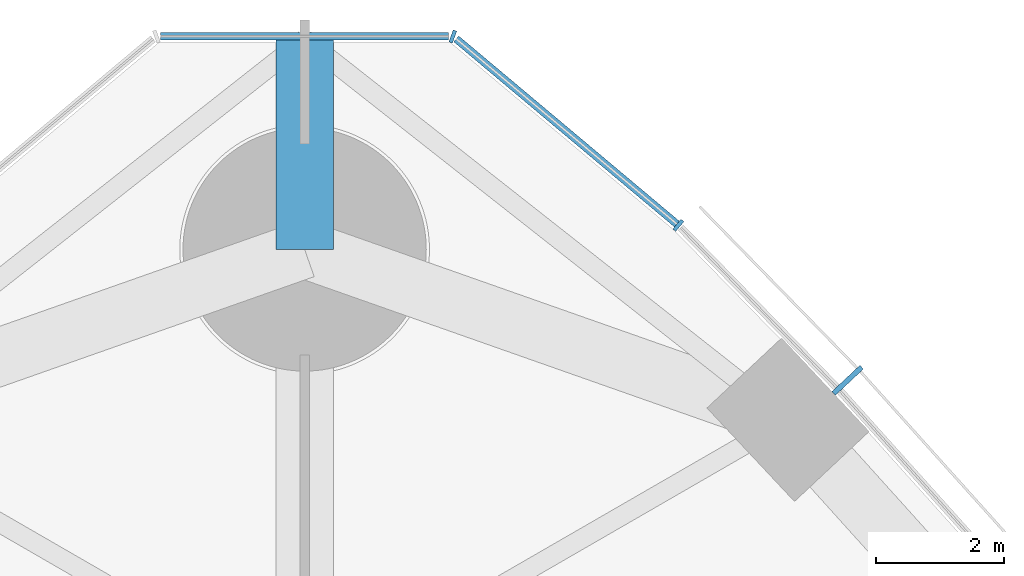
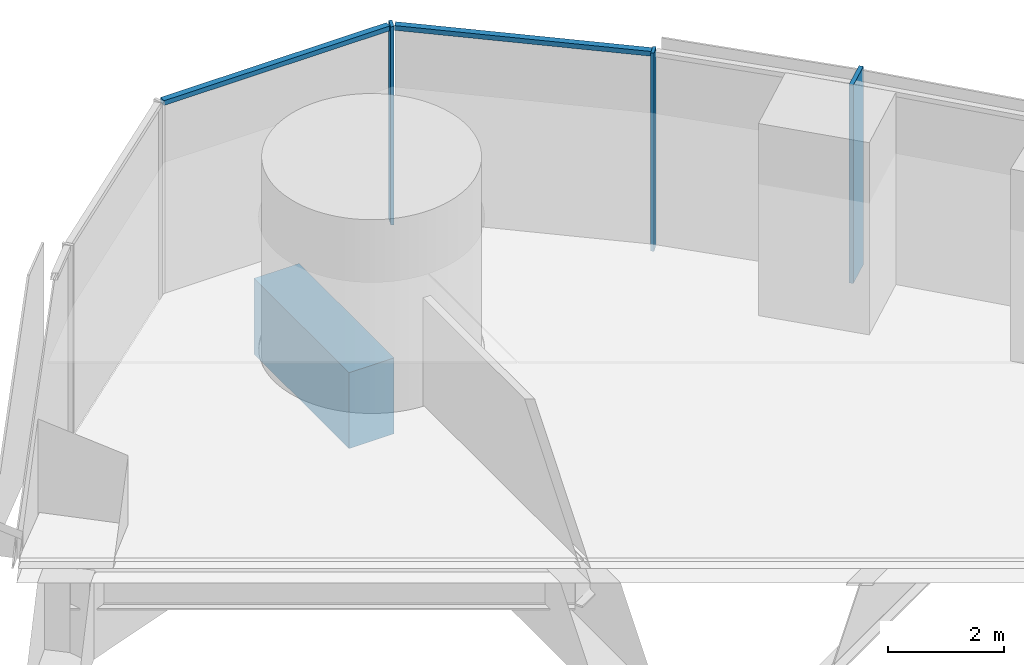
# One storey, part 8 of 18: 5 members, 1 beam, 2 elements without a shape of their own.
"""IFC4 building model written with IfcOpenShell, lengths in metres."""

from ifc_helpers import new_model, si_unit, direction, frame, origin, origin_2d, place, context, subcontext, project, spatial, rectangle, extrude, material, material_profile, profile_set, type_object, element, aggregate, save


model = new_model("IFC4")

# Units and contexts
model_context = context("Model", 3, precision=1e-05, world=origin(), true_north=direction((0.0, 1.0)))
body_context = subcontext(model_context, "Body", "Model", "MODEL_VIEW")
ifc_project = project(units=[si_unit("LENGTHUNIT", "METRE"), si_unit("AREAUNIT", "SQUARE_METRE"), si_unit("VOLUMEUNIT", "CUBIC_METRE"), si_unit("PLANEANGLEUNIT", "RADIAN"), si_unit("MASSUNIT", "GRAM", prefix="KILO")], contexts=[model_context])

# Site, building, storey
site_placement = place(None, origin())
site = spatial("IfcSite", under=ifc_project, at=site_placement, CompositionType="ELEMENT")
building_placement = place(site_placement, origin())
building = spatial("IfcBuilding", under=site, at=building_placement, Name="Trefoil Bronze Tower", CompositionType="ELEMENT")
storey_placement = place(building_placement, frame((0.0, 0.0, 202.300048828125)))
storey = spatial("IfcBuildingStorey", under=building, at=storey_placement, Name="L46", CompositionType="ELEMENT", Elevation=202.300048828125)

# Curtain wall, member
ifc_material_1 = material(Name="Tinted solar-control glass", Category="glass")
curtain_wall_type_1 = type_object("IfcCurtainWallType", Name="Bronze office curtain wall", PredefinedType="USERDEFINED", material=ifc_material_1)
curtain_wall_1_placement = place(storey_placement, origin())
curtain_wall_1 = element("IfcCurtainWall", 1, at=curtain_wall_1_placement, inside=storey, type_object=curtain_wall_type_1, Name="CW-A L46 F2", ObjectType="CURTAIN WALL", PredefinedType="USERDEFINED")
ifc_material_2 = material(Name="Bronze-finish aluminium", Category="aluminium")
ifc_material_profile_1 = material_profile(ifc_material_2, rectangle(XDim=0.60009765625, YDim=0.080078125, at=origin_2d()), Name="CW-A mullion")
ifc_profile_set_1 = profile_set([ifc_material_profile_1], Name="Bronze-finish aluminium")
member_type_1 = type_object("IfcMemberType", Name="Bronze office curtain wall mullion", PredefinedType="MULLION", material=ifc_profile_set_1)
member_1_placement = place(storey_placement, frame((8.482177734375, 30.95654296875, 0.0), z_axis=(0.0, 0.0, 1.0), x_axis=(-0.729859580661, -0.683597098091, 0.0)))
member_1 = element("IfcMember", 2, at=member_1_placement, type_object=member_type_1, Name="CW-A L46 F2 mullion 12", PredefinedType="MULLION", context=body_context, shape_type="SweptSolid", body=[
    extrude(rectangle(XDim=0.60009765625, YDim=0.080078125, at=origin_2d()), origin(), (0.0, 0.0, 1.0), 4.179931640625),
])
aggregate(curtain_wall_1, [member_1])

# Curtain wall, members
ifc_material_3 = material(Name="Tinted solar-control glass", Category="glass")
curtain_wall_type_2 = type_object("IfcCurtainWallType", Name="Bronze rounded corner curtain wall", PredefinedType="USERDEFINED", material=ifc_material_3)
curtain_wall_2_placement = place(storey_placement, origin())
curtain_wall_2 = element("IfcCurtainWall", 3, at=curtain_wall_2_placement, inside=storey, type_object=curtain_wall_type_2, Name="CW-B L46 K2", ObjectType="CURTAIN WALL", PredefinedType="USERDEFINED")
ifc_material_4 = material(Name="Bronze-finish aluminium", Category="aluminium")
ifc_material_profile_2 = material_profile(ifc_material_4, rectangle(XDim=0.199951171875, YDim=0.06005859375, at=origin_2d()), Name="CW-B mullion")
ifc_profile_set_2 = profile_set([ifc_material_profile_2], Name="Bronze-finish aluminium")
member_type_2 = type_object("IfcMemberType", Name="Bronze rounded corner curtain wall mullion", PredefinedType="MULLION", material=ifc_profile_set_2)
member_2_placement = place(storey_placement, frame((5.837890625, 33.3779296875, 0.0), z_axis=(0.0, 0.0, 1.0), x_axis=(-0.642787609687, -0.766044443119, 0.0)))
member_2 = element("IfcMember", 4, at=member_2_placement, type_object=member_type_2, Name="CW-B L46 K2 mullion 1", PredefinedType="MULLION", context=body_context, shape_type="SweptSolid", body=[
    extrude(rectangle(XDim=0.199951171875, YDim=0.06005859375, at=origin_2d()), origin(), (0.0, 0.0, 1.0), 4.179931640625),
])
member_3_placement = place(storey_placement, frame((2.314453125, 36.326416015625, 0.0), z_axis=(0.0, 0.0, 1.0), x_axis=(-0.342020143326, -0.939692620786, 0.0)))
member_3 = element("IfcMember", 5, at=member_3_placement, type_object=member_type_2, Name="CW-B L46 K2 mullion 2", PredefinedType="MULLION", context=body_context, shape_type="SweptSolid", body=[
    extrude(rectangle(XDim=0.199951171875, YDim=0.06005859375, at=origin_2d()), origin(), (0.0, 0.0, 1.0), 4.179931640625),
])
ifc_material_5 = material(Name="Bronze-finish aluminium", Category="aluminium")
ifc_material_profile_3 = material_profile(ifc_material_5, rectangle(XDim=0.1201171875, YDim=0.10009765625, at=origin_2d()), Name="CW-B transom")
ifc_profile_set_3 = profile_set([ifc_material_profile_3], Name="Bronze-finish aluminium")
member_type_3 = type_object("IfcMemberType", Name="Bronze rounded corner curtain wall transom", PredefinedType="USERDEFINED", material=ifc_profile_set_3)
member_4_placement = place(storey_placement, frame((5.814697265625, 33.397216796875, 4.1298828125), z_axis=(-0.766046761698, 0.642784846501, 0.0), x_axis=(-0.642784846501, -0.766046761698, 0.0)))
member_4 = element("IfcMember", 6, at=member_4_placement, type_object=member_type_3, Name="CW-B L46 K2 transom 1", ObjectType="TRANSOM", PredefinedType="USERDEFINED", context=body_context, shape_type="SweptSolid", body=[
    extrude(rectangle(XDim=0.1201171875, YDim=0.10009765625, at=origin_2d()), origin(), (0.0, 0.0, 1.0), 4.5),
])
member_5_placement = place(storey_placement, frame((2.250244140625, 36.33251953125, 4.1298828125), z_axis=(-1.0, 0.0, 0.0), x_axis=(0.0, -1.0, 0.0)))
member_5 = element("IfcMember", 7, at=member_5_placement, type_object=member_type_3, Name="CW-B L46 K2 transom 2", ObjectType="TRANSOM", PredefinedType="USERDEFINED", context=body_context, shape_type="SweptSolid", body=[
    extrude(rectangle(XDim=0.1201171875, YDim=0.10009765625, at=origin_2d()), origin(), (0.0, 0.0, 1.0), 4.50048828125),
])
aggregate(curtain_wall_2, [member_2, member_3, member_4, member_5])

# Beam
ifc_material_6 = material(Name="Concrete B80", Category="concrete")
ifc_material_profile_4 = material_profile(ifc_material_6, rectangle(XDim=0.89990234375, YDim=1.60009765625, at=origin_2d()), Name="RC 900x1600")
ifc_profile_set_4 = profile_set([ifc_material_profile_4], Name="Concrete B80")
beam_type = type_object("IfcBeamType", Name="Corner cantilever RC 900x1600", PredefinedType="BEAM", material=ifc_profile_set_4)
beam_placement = place(storey_placement, frame((0.0, 33.0, -1.0), z_axis=(0.0, 1.0, 0.0), x_axis=(-1.0, 0.0, 0.0)))
element("IfcBeam", 8, at=beam_placement, inside=storey, type_object=beam_type, Name="Corner cantilever K2 L46", PredefinedType="BEAM", context=body_context, shape_type="SweptSolid", body=[
    extrude(rectangle(XDim=0.89990234375, YDim=1.60009765625, at=origin_2d()), origin(), (0.0, 0.0, 1.0), 3.28466796875),
])

save(model, "model.ifc")
